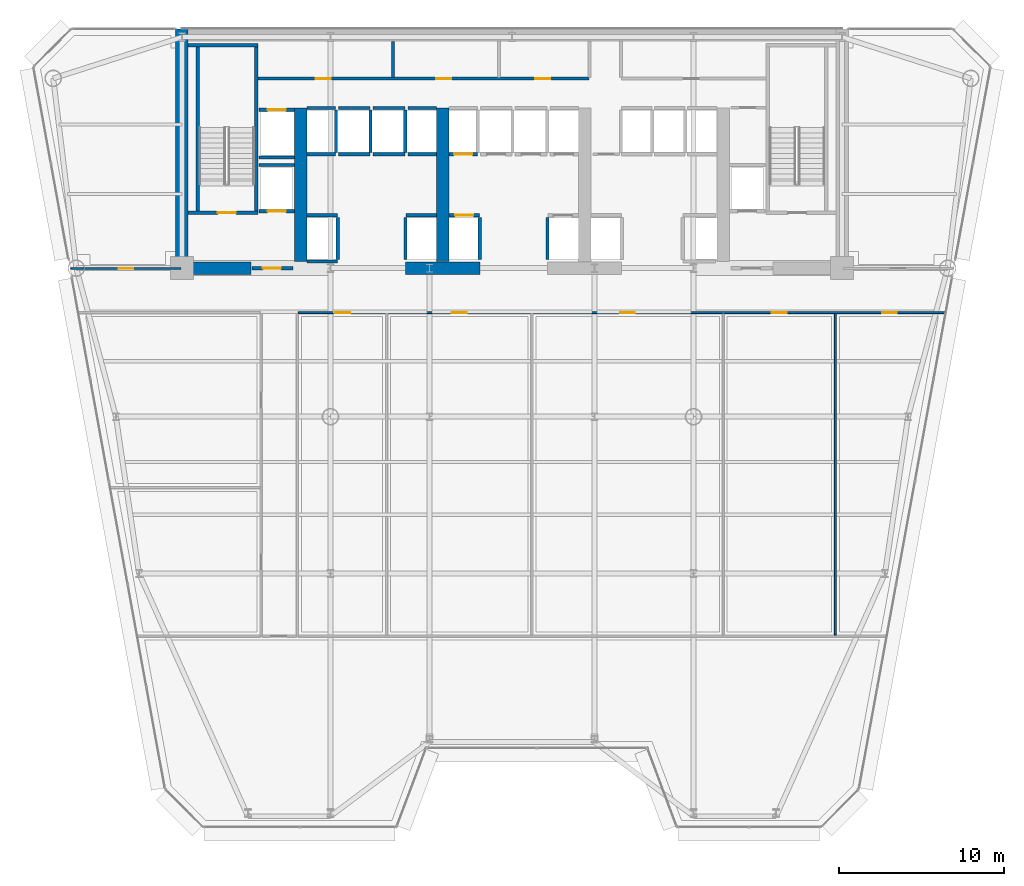
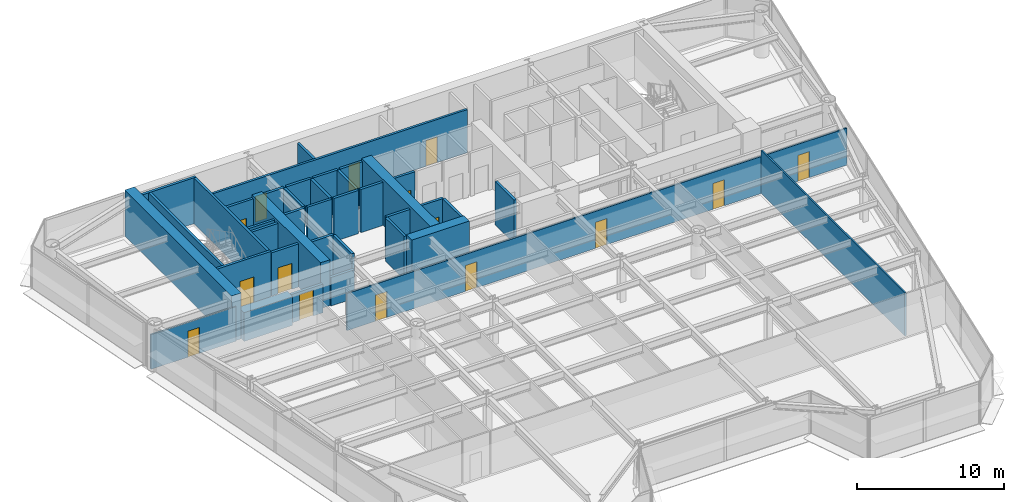
# One storey, part 9 of 15: 39 walls, 15 doors, 15 openings.
"""IFC4 building model written with IfcOpenShell, lengths in metres."""

from ifc_helpers import new_model, si_unit, direction, frame, frame_2d, origin, place, context, subcontext, project, spatial, rectangle, extrude, source, transform, mapped, material, layer, layer_set, type_object, element, fill, save


model = new_model("IFC4")

# Units and contexts
model_context = context("Model", 3, precision=1e-05, world=origin(), true_north=direction((0.0, 1.0)))
body_context = subcontext(model_context, "Body", "Model", "MODEL_VIEW")
ifc_project = project(units=[si_unit("LENGTHUNIT", "METRE"), si_unit("AREAUNIT", "SQUARE_METRE"), si_unit("VOLUMEUNIT", "CUBIC_METRE"), si_unit("PLANEANGLEUNIT", "RADIAN"), si_unit("MASSUNIT", "GRAM", prefix="KILO")], contexts=[model_context])

# Site, building, storey
site_placement = place(None, origin())
site = spatial("IfcSite", under=ifc_project, at=site_placement, CompositionType="ELEMENT")
building_placement = place(site_placement, origin())
building = spatial("IfcBuilding", under=site, at=building_placement, Name="Vaeldorn Concourse Tower", CompositionType="ELEMENT")
storey_placement = place(building_placement, frame((0.0, 0.0, 103.39990234375)))
storey = spatial("IfcBuildingStorey", under=building, at=storey_placement, Name="L26", CompositionType="ELEMENT", Elevation=103.39990234375)

# Walls
ifc_material_1 = material(Name="Concrete C60/75", Category="concrete")
ifc_layer_1 = layer(ifc_material_1, 0.75)
ifc_layer_set_1 = layer_set([ifc_layer_1], Name="Concrete C60/75")
wall_type_1 = type_object("IfcWallType", Name="WL-CORE-750", PredefinedType="SHEAR", material=ifc_layer_set_1)
wall_1_placement = place(storey_placement, frame((14.0, 36.5, 0.0), z_axis=(0.0, 0.0, 1.0), x_axis=(0.0, 1.0, 0.0)))
element("IfcWall", 1, at=wall_1_placement, inside=storey, type_object=wall_type_1, Name="Rear Core Shear Wall L26 W1", PredefinedType="SHEAR", context=body_context, shape_type="SweptSolid", body=[
    extrude(rectangle(XDim=14.5, YDim=0.75, at=frame_2d((7.25, 0.0))), origin(), (0.0, 0.0, 1.0), 3.800048828125),
])
wall_2_placement = place(storey_placement, frame((14.39501953125, 36.5, 0.0), z_axis=(0.0, 0.0, 1.0), x_axis=(1.0, 0.0, 0.0)))
element("IfcWall", 2, at=wall_2_placement, inside=storey, type_object=wall_type_1, Name="Rear Core Shear Wall L26 S1", PredefinedType="SHEAR", context=body_context, shape_type="SweptSolid", body=[
    extrude(rectangle(XDim=3.804931640625, YDim=0.75, at=frame_2d((1.90234375, 0.0))), origin(), (0.0, 0.0, 1.0), 2.380126953125),
])
wall_3_placement = place(storey_placement, frame((27.550048828125, 36.5, 0.0), z_axis=(0.0, 0.0, 1.0), x_axis=(1.0, 0.0, 0.0)))
element("IfcWall", 3, at=wall_3_placement, inside=storey, type_object=wall_type_1, Name="Rear Core Shear Wall L26 S2", PredefinedType="SHEAR", context=body_context, shape_type="SweptSolid", body=[
    extrude(rectangle(XDim=4.5, YDim=0.75, at=frame_2d((2.25, 0.0))), origin(), (0.0, 0.0, 1.0), 3.800048828125),
])
for number, where, z_axis, x_axis, name in (
    (4, (21.199951171875, 36.89501953125, 0.0), (0.0, 0.0, 1.0), (0.0, 1.0, 0.0), "Rear Core Shear Wall L26 M1"),
    (5, (29.800048828125, 36.89501953125, 0.0), (0.0, 0.0, 1.0), (0.0, 1.0, 0.0), "Rear Core Shear Wall L26 M2"),
):
    element("IfcWall", number, at=place(storey_placement, frame(where, z_axis=z_axis, x_axis=x_axis)), inside=storey, type_object=wall_type_1, Name=name, PredefinedType="SHEAR", context=body_context, shape_type="SweptSolid", body=[
        extrude(rectangle(XDim=9.304931640625, YDim=0.75, at=frame_2d((4.65234375, 0.0))), origin(), (0.0, 0.0, 1.0), 3.800048828125),
    ])

# Wall, openings, doors
ifc_material_2 = material(Name="Gypsum Board Partition", Category="gypsum")
ifc_layer_2 = layer(ifc_material_2, 0.1201171875)
ifc_layer_set_2 = layer_set([ifc_layer_2], Name="Gypsum Board Partition")
wall_type_2 = type_object("IfcWallType", Name="WL-PART-120", PredefinedType="PARTITIONING", material=ifc_layer_set_2)
wall_4_placement = place(storey_placement, frame((21.06005859375, 33.800048828125, 0.0), z_axis=(0.0, 0.0, 1.0), x_axis=(1.0, 0.0, 0.0)))
wall_4 = element("IfcWall", 6, at=wall_4_placement, inside=storey, type_object=wall_type_2, Name="Interior Wall PW-L26-C2SE", PredefinedType="PARTITIONING", context=body_context, shape_type="SweptSolid", body=[
    extrude(rectangle(XDim=39.18310546875, YDim=0.1201171875, at=frame_2d((19.591552734375, 0.0))), origin(), (0.0, 0.0, 1.0), 3.070068359375),
])
opening_1_placement = place(wall_4_placement, frame((2.239990234375, 0.0, 0.0)))
opening_1 = element("IfcOpeningElement", 7, at=opening_1_placement, cuts=wall_4, Name="Opening D-03", PredefinedType="OPENING", context=body_context, shape_type="SweptSolid", body=[
    extrude(rectangle(XDim=0.89990234375, YDim=2.14990234375, at=frame_2d((0.449951171875, 1.074951171875))), frame((0.0, 0.070068359375, 0.0), z_axis=(0.0, -1.0, 0.0), x_axis=(1.0, 0.0, 0.0)), (0.0, 0.0, 1.0), 0.14013671875),
])
opening_2_placement = place(wall_4_placement, frame((9.2900390625, 0.0, 0.0)))
opening_2 = element("IfcOpeningElement", 8, at=opening_2_placement, cuts=wall_4, Name="Opening D-03", PredefinedType="OPENING", context=body_context, shape_type="SweptSolid", body=[
    extrude(rectangle(XDim=0.89990234375, YDim=2.14990234375, at=frame_2d((0.449951171875, 1.074951171875))), frame((0.0, 0.070068359375, 0.0), z_axis=(0.0, -1.0, 0.0), x_axis=(1.0, 0.0, 0.0)), (0.0, 0.0, 1.0), 0.14013671875),
])
opening_3_placement = place(wall_4_placement, frame((19.489990234375, 0.0, 0.0)))
opening_3 = element("IfcOpeningElement", 9, at=opening_3_placement, cuts=wall_4, Name="Opening D-03", PredefinedType="OPENING", context=body_context, shape_type="SweptSolid", body=[
    extrude(rectangle(XDim=0.89990234375, YDim=2.14990234375, at=frame_2d((0.449951171875, 1.074951171875))), frame((0.0, 0.070068359375, 0.0), z_axis=(0.0, -1.0, 0.0), x_axis=(1.0, 0.0, 0.0)), (0.0, 0.0, 1.0), 0.14013671875),
])
opening_4_placement = place(wall_4_placement, frame((28.68994140625, 0.0, 0.0)))
opening_4 = element("IfcOpeningElement", 10, at=opening_4_placement, cuts=wall_4, Name="Opening D-03", PredefinedType="OPENING", context=body_context, shape_type="SweptSolid", body=[
    extrude(rectangle(XDim=0.89990234375, YDim=2.14990234375, at=frame_2d((0.449951171875, 1.074951171875))), frame((0.0, 0.070068359375, 0.0), z_axis=(0.0, -1.0, 0.0), x_axis=(1.0, 0.0, 0.0)), (0.0, 0.0, 1.0), 0.14013671875),
])
opening_5_placement = place(wall_4_placement, frame((35.362060546875, 0.0, 0.0)))
opening_5 = element("IfcOpeningElement", 11, at=opening_5_placement, cuts=wall_4, Name="Opening D-03", PredefinedType="OPENING", context=body_context, shape_type="SweptSolid", body=[
    extrude(rectangle(XDim=0.89990234375, YDim=2.14990234375, at=frame_2d((0.449951171875, 1.074951171875))), frame((0.0, 0.070068359375, 0.0), z_axis=(0.0, -1.0, 0.0), x_axis=(1.0, 0.0, 0.0)), (0.0, 0.0, 1.0), 0.14013671875),
])
ifc_material_3 = material(Name="Acoustic Bronze-Framed Glass Door", Category="glass")
door_type_1 = type_object("IfcDoorType", Name="DR-INT-900", OperationType="NOTDEFINED", PredefinedType="DOOR", material=ifc_material_3)
shared_shape_1 = source(origin(), body_context, "Body", "SweptSolid", [
    extrude(rectangle(XDim=0.89990234375, YDim=2.14990234375, at=frame_2d((0.449951171875, 1.074951171875))), frame((0.0, 0.02490234375, 0.0), z_axis=(0.0, -1.0, 0.0), x_axis=(1.0, 0.0, 0.0)), (0.0, 0.0, 1.0), 0.050048828125),
])
door_1_placement = place(opening_1_placement, origin())
door_1 = element("IfcDoor", 12, at=door_1_placement, inside=storey, type_object=door_type_1, Name="Interior Door DR-L26-Z2E1", OperationType="SINGLE_SWING_RIGHT", OverallHeight=2.14990234375, OverallWidth=0.89990234375, PredefinedType="DOOR", context=body_context, shape_type="MappedRepresentation", body=[
    mapped(shared_shape_1, transform((0.0, 0.0, 0.0), scale=1.0)),
])
fill(opening_1, door_1)
door_2_placement = place(opening_2_placement, origin())
door_2 = element("IfcDoor", 13, at=door_2_placement, inside=storey, type_object=door_type_1, Name="Interior Door DR-L26-Z2E2", OperationType="SINGLE_SWING_LEFT", OverallHeight=2.14990234375, OverallWidth=0.89990234375, PredefinedType="DOOR", context=body_context, shape_type="MappedRepresentation", body=[
    mapped(shared_shape_1, transform((0.0, 0.0, 0.0), scale=1.0)),
])
fill(opening_2, door_2)
door_3_placement = place(opening_3_placement, origin())
door_3 = element("IfcDoor", 14, at=door_3_placement, inside=storey, type_object=door_type_1, Name="Interior Door DR-L26-Z2E3", OperationType="SINGLE_SWING_RIGHT", OverallHeight=2.14990234375, OverallWidth=0.89990234375, PredefinedType="DOOR", context=body_context, shape_type="MappedRepresentation", body=[
    mapped(shared_shape_1, transform((0.0, 0.0, 0.0), scale=1.0)),
])
fill(opening_3, door_3)
door_4_placement = place(opening_4_placement, origin())
door_4 = element("IfcDoor", 15, at=door_4_placement, inside=storey, type_object=door_type_1, Name="Interior Door DR-L26-Z2E4", OperationType="SINGLE_SWING_LEFT", OverallHeight=2.14990234375, OverallWidth=0.89990234375, PredefinedType="DOOR", context=body_context, shape_type="MappedRepresentation", body=[
    mapped(shared_shape_1, transform((0.0, 0.0, 0.0), scale=1.0)),
])
fill(opening_4, door_4)
door_5_placement = place(opening_5_placement, origin())
door_5 = element("IfcDoor", 16, at=door_5_placement, inside=storey, type_object=door_type_1, Name="Interior Door DR-L26-Z2E5", OperationType="SINGLE_SWING_RIGHT", OverallHeight=2.14990234375, OverallWidth=0.89990234375, PredefinedType="DOOR", context=body_context, shape_type="MappedRepresentation", body=[
    mapped(shared_shape_1, transform((0.0, 0.0, 0.0), scale=1.0)),
])
fill(opening_5, door_5)

# Wall, opening, door
wall_5_placement = place(storey_placement, frame((7.273681640625, 36.47998046875, 0.0), z_axis=(0.0, 0.0, 1.0), x_axis=(1.0, 0.0, 0.0)))
wall_5 = element("IfcWall", 17, at=wall_5_placement, inside=storey, type_object=wall_type_2, Name="Interior Wall PW-L26-NWS", PredefinedType="PARTITIONING", context=body_context, shape_type="SweptSolid", body=[
    extrude(rectangle(XDim=6.666259765625, YDim=0.1201171875, at=frame_2d((3.3330078125, 0.0))), origin(), (0.0, 0.0, 1.0), 2.8701171875),
])
opening_6_placement = place(wall_5_placement, frame((2.883056640625, 0.0, 0.0)))
opening_6 = element("IfcOpeningElement", 18, at=opening_6_placement, cuts=wall_5, Name="Opening D-03", PredefinedType="OPENING", context=body_context, shape_type="SweptSolid", body=[
    extrude(rectangle(XDim=0.89990234375, YDim=2.14990234375, at=frame_2d((0.449951171875, 1.074951171875))), frame((0.0, 0.070068359375, 0.0), z_axis=(0.0, -1.0, 0.0), x_axis=(1.0, 0.0, 0.0)), (0.0, 0.0, 1.0), 0.14013671875),
])
door_6_placement = place(opening_6_placement, origin())
door_6 = element("IfcDoor", 19, at=door_6_placement, inside=storey, type_object=door_type_1, Name="Interior Door DR-L26-NWC", OperationType="SINGLE_SWING_LEFT", OverallHeight=2.14990234375, OverallWidth=0.89990234375, PredefinedType="DOOR", context=body_context, shape_type="MappedRepresentation", body=[
    mapped(shared_shape_1, transform((0.0, 0.0, 0.0), scale=1.0)),
])
fill(opening_6, door_6)

# Wall
wall_6_placement = place(storey_placement, frame((53.60009765625, 14.260009765625, 0.0), z_axis=(0.0, 0.0, 1.0), x_axis=(0.0, 1.0, 0.0)))
element("IfcWall", 20, at=wall_6_placement, inside=storey, type_object=wall_type_2, Name="Interior Wall PW-L26-Z2EX4", PredefinedType="PARTITIONING", context=body_context, shape_type="SweptSolid", body=[
    extrude(rectangle(XDim=19.47998046875, YDim=0.1201171875, at=frame_2d((9.739990234375, 0.0))), origin(), (0.0, 0.0, 1.0), 3.580078125),
])

# Wall, openings, doors
ifc_layer_3 = layer(ifc_material_2, 0.179931640625)
ifc_layer_set_3 = layer_set([ifc_layer_3], Name="Gypsum Board Partition")
wall_type_3 = type_object("IfcWallType", Name="WL-PLUMB-180", PredefinedType="PLUMBINGWALL", material=ifc_layer_set_3)
wall_7_placement = place(storey_placement, frame((18.6201171875, 47.97998046875, 0.0), z_axis=(0.0, 0.0, 1.0), x_axis=(1.0, 0.0, 0.0)))
wall_7 = element("IfcWall", 21, at=wall_7_placement, inside=storey, type_object=wall_type_3, Name="Interior Wall CW-L26-NS1W", PredefinedType="PLUMBINGWALL", context=body_context, shape_type="SweptSolid", body=[
    extrude(rectangle(XDim=20.059814453125, YDim=0.179931640625, at=frame_2d((10.02978515625, 0.0))), origin(), (0.0, 0.0, 1.0), 3.580078125),
])
opening_7_placement = place(wall_7_placement, frame((3.5, 0.0, 0.0)))
opening_7 = element("IfcOpeningElement", 22, at=opening_7_placement, cuts=wall_7, Name="Opening D-03", PredefinedType="OPENING", context=body_context, shape_type="SweptSolid", body=[
    extrude(rectangle(XDim=0.89990234375, YDim=2.14990234375, at=frame_2d((0.449951171875, 1.074951171875))), frame((0.0, 0.10009765625, 0.0), z_axis=(0.0, -1.0, 0.0), x_axis=(1.0, 0.0, 0.0)), (0.0, 0.0, 1.0), 0.199951171875),
])
opening_8_placement = place(wall_7_placement, frame((10.800048828125, 0.0, 0.0)))
opening_8 = element("IfcOpeningElement", 23, at=opening_8_placement, cuts=wall_7, Name="Opening D-03", PredefinedType="OPENING", context=body_context, shape_type="SweptSolid", body=[
    extrude(rectangle(XDim=0.89990234375, YDim=2.14990234375, at=frame_2d((0.449951171875, 1.074951171875))), frame((0.0, 0.10009765625, 0.0), z_axis=(0.0, -1.0, 0.0), x_axis=(1.0, 0.0, 0.0)), (0.0, 0.0, 1.0), 0.199951171875),
])
opening_9_placement = place(wall_7_placement, frame((16.800048828125, 0.0, 0.0)))
opening_9 = element("IfcOpeningElement", 24, at=opening_9_placement, cuts=wall_7, Name="Opening D-03", PredefinedType="OPENING", context=body_context, shape_type="SweptSolid", body=[
    extrude(rectangle(XDim=0.89990234375, YDim=2.14990234375, at=frame_2d((0.449951171875, 1.074951171875))), frame((0.0, 0.10009765625, 0.0), z_axis=(0.0, -1.0, 0.0), x_axis=(1.0, 0.0, 0.0)), (0.0, 0.0, 1.0), 0.199951171875),
])
door_7_placement = place(opening_7_placement, origin())
door_7 = element("IfcDoor", 25, at=door_7_placement, inside=storey, type_object=door_type_1, Name="Interior Door DR-L26-CS1", OperationType="SINGLE_SWING_LEFT", OverallHeight=2.14990234375, OverallWidth=0.89990234375, PredefinedType="DOOR", context=body_context, shape_type="MappedRepresentation", body=[
    mapped(shared_shape_1, transform((0.0, 0.0, 0.0), scale=1.0)),
])
fill(opening_7, door_7)
door_8_placement = place(opening_8_placement, origin())
door_8 = element("IfcDoor", 26, at=door_8_placement, inside=storey, type_object=door_type_1, Name="Interior Door DR-L26-CS2", OperationType="SINGLE_SWING_RIGHT", OverallHeight=2.14990234375, OverallWidth=0.89990234375, PredefinedType="DOOR", context=body_context, shape_type="MappedRepresentation", body=[
    mapped(shared_shape_1, transform((0.0, 0.0, 0.0), scale=1.0)),
])
fill(opening_8, door_8)
door_9_placement = place(opening_9_placement, origin())
door_9 = element("IfcDoor", 27, at=door_9_placement, inside=storey, type_object=door_type_1, Name="Interior Door DR-L26-CS3", OperationType="SINGLE_SWING_LEFT", OverallHeight=2.14990234375, OverallWidth=0.89990234375, PredefinedType="DOOR", context=body_context, shape_type="MappedRepresentation", body=[
    mapped(shared_shape_1, transform((0.0, 0.0, 0.0), scale=1.0)),
])
fill(opening_9, door_9)

# Wall
wall_8_placement = place(storey_placement, frame((26.800048828125, 48.06005859375, 0.0), z_axis=(0.0, 0.0, 1.0), x_axis=(0.0, 1.0, 0.0)))
element("IfcWall", 28, at=wall_8_placement, inside=storey, type_object=wall_type_3, Name="Interior Wall CW-L26-NDIV1", PredefinedType="PLUMBINGWALL", context=body_context, shape_type="SweptSolid", body=[
    extrude(rectangle(XDim=2.169921875, YDim=0.179931640625, at=frame_2d((1.0849609375, 0.0))), origin(), (0.0, 0.0, 1.0), 3.580078125),
])

# Wall, opening, door
ifc_material_4 = material(Name="Concrete C50/60", Category="concrete")
ifc_layer_4 = layer(ifc_material_4, 0.199951171875)
ifc_layer_set_4 = layer_set([ifc_layer_4], Name="Concrete C50/60")
wall_type_4 = type_object("IfcWallType", Name="WL-SHAFT-200", PredefinedType="SOLIDWALL", material=ifc_layer_set_4)
wall_9_placement = place(storey_placement, frame((14.375, 39.85009765625, 0.0), z_axis=(0.0, 0.0, 1.0), x_axis=(1.0, 0.0, 0.0)))
wall_9 = element("IfcWall", 29, at=wall_9_placement, inside=storey, type_object=wall_type_4, Name="Stair Shaft Wall CW-L26-ST-1-S", PredefinedType="SOLIDWALL", context=body_context, shape_type="SweptSolid", body=[
    extrude(rectangle(XDim=4.22509765625, YDim=0.199951171875, at=frame_2d((2.112548828125, 0.0))), origin(), (0.0, 0.0, 1.0), 3.800048828125),
])
opening_10_placement = place(wall_9_placement, frame((1.800048828125, 0.0, 0.0)))
opening_10 = element("IfcOpeningElement", 30, at=opening_10_placement, cuts=wall_9, Name="Opening D-01", PredefinedType="OPENING", context=body_context, shape_type="SweptSolid", body=[
    extrude(rectangle(XDim=1.10009765625, YDim=2.14990234375, at=frame_2d((0.550048828125, 1.074951171875))), frame((0.0, 0.10986328125, 0.0), z_axis=(0.0, -1.0, 0.0), x_axis=(1.0, 0.0, 0.0)), (0.0, 0.0, 1.0), 0.219970703125),
])
ifc_material_5 = material(Name="Fire-Rated Timber and Steel Leaf", Category="steel")
door_type_2 = type_object("IfcDoorType", Name="DR-FD60-1100", OperationType="NOTDEFINED", PredefinedType="DOOR", material=ifc_material_5)
shared_shape_2 = source(origin(), body_context, "Body", "SweptSolid", [
    extrude(rectangle(XDim=1.10009765625, YDim=2.14990234375, at=frame_2d((0.550048828125, 1.074951171875))), frame((0.0, 0.02490234375, 0.0), z_axis=(0.0, -1.0, 0.0), x_axis=(1.0, 0.0, 0.0)), (0.0, 0.0, 1.0), 0.050048828125),
])
door_10_placement = place(opening_10_placement, origin())
door_10 = element("IfcDoor", 31, at=door_10_placement, inside=storey, type_object=door_type_2, Name="Interior Door DR-L26-ST-1", OperationType="SINGLE_SWING_LEFT", OverallHeight=2.14990234375, OverallWidth=1.10009765625, PredefinedType="DOOR", context=body_context, shape_type="MappedRepresentation", body=[
    mapped(shared_shape_2, transform((0.0, 0.0, 0.0), scale=1.0)),
])
fill(opening_10, door_10)

# Walls
wall_10_placement = place(storey_placement, frame((14.375, 50.0, 0.0), z_axis=(0.0, 0.0, 1.0), x_axis=(1.0, 0.0, 0.0)))
element("IfcWall", 32, at=wall_10_placement, inside=storey, type_object=wall_type_4, Name="Stair Shaft Wall CW-L26-ST-1-N", PredefinedType="SOLIDWALL", context=body_context, shape_type="SweptSolid", body=[
    extrude(rectangle(XDim=4.22509765625, YDim=0.199951171875, at=frame_2d((2.112548828125, 0.0))), origin(), (0.0, 0.0, 1.0), 3.800048828125),
])
for number, where, z_axis, x_axis, name in (
    (33, (14.949951171875, 39.9599609375, 0.0), (0.0, 0.0, 1.0), (0.0, 1.0, 0.0), "Stair Shaft Wall CW-L26-ST-1-W"),
    (34, (18.5, 39.9599609375, 0.0), (0.0, 0.0, 1.0), (0.0, 1.0, 0.0), "Stair Shaft Wall CW-L26-ST-1-E"),
):
    element("IfcWall", number, at=place(storey_placement, frame(where, z_axis=z_axis, x_axis=x_axis)), inside=storey, type_object=wall_type_4, Name=name, PredefinedType="SOLIDWALL", context=body_context, shape_type="SweptSolid", body=[
        extrude(rectangle(XDim=9.929931640625, YDim=0.199951171875, at=frame_2d((4.96484375, 0.0))), origin(), (0.0, 0.0, 1.0), 3.800048828125),
    ])

# Wall, opening, door
wall_11_placement = place(storey_placement, frame((18.25, 36.5, 0.0), z_axis=(0.0, 0.0, 1.0), x_axis=(1.0, 0.0, 0.0)))
wall_11 = element("IfcWall", 35, at=wall_11_placement, inside=storey, type_object=wall_type_4, Name="Interior Wall CW-L26-FF1S", PredefinedType="SOLIDWALL", context=body_context, shape_type="SweptSolid", body=[
    extrude(rectangle(XDim=2.469970703125, YDim=0.199951171875, at=frame_2d((1.23486328125, 0.0))), origin(), (0.0, 0.0, 1.0), 2.3701171875),
])
opening_11_placement = place(wall_11_placement, frame((0.64990234375, 0.0, 0.0)))
opening_11 = element("IfcOpeningElement", 36, at=opening_11_placement, cuts=wall_11, Name="Opening D-01", PredefinedType="OPENING", context=body_context, shape_type="SweptSolid", body=[
    extrude(rectangle(XDim=1.10009765625, YDim=2.14990234375, at=frame_2d((0.550048828125, 1.074951171875))), frame((0.0, 0.10986328125, 0.0), z_axis=(0.0, -1.0, 0.0), x_axis=(1.0, 0.0, 0.0)), (0.0, 0.0, 1.0), 0.219970703125),
])
door_11_placement = place(opening_11_placement, origin())
door_11 = element("IfcDoor", 37, at=door_11_placement, inside=storey, type_object=door_type_2, Name="Interior Door DR-L26-FF1E", OperationType="SINGLE_SWING_RIGHT", OverallHeight=2.14990234375, OverallWidth=1.10009765625, PredefinedType="DOOR", context=body_context, shape_type="MappedRepresentation", body=[
    mapped(shared_shape_2, transform((0.0, 0.0, 0.0), scale=1.0)),
])
fill(opening_11, door_11)

# Walls
wall_12_placement = place(storey_placement, frame((21.5849609375, 39.699951171875, 0.0), z_axis=(0.0, 0.0, 1.0), x_axis=(1.0, 0.0, 0.0)))
element("IfcWall", 38, at=wall_12_placement, inside=storey, type_object=wall_type_4, Name="Interior Wall CW-L26-LF-LF-01", PredefinedType="SOLIDWALL", context=body_context, shape_type="SweptSolid", body=[
    extrude(rectangle(XDim=1.844970703125, YDim=0.199951171875, at=frame_2d((0.92236328125, 0.0))), origin(), (0.0, 0.0, 1.0), 3.580078125),
])
wall_13_placement = place(storey_placement, frame((21.5849609375, 36.89990234375, 0.0), z_axis=(0.0, 0.0, 1.0), x_axis=(1.0, 0.0, 0.0)))
element("IfcWall", 39, at=wall_13_placement, inside=storey, type_object=wall_type_4, Name="Interior Wall CW-L26-LFB-LF-01", PredefinedType="SOLIDWALL", context=body_context, shape_type="SweptSolid", body=[
    extrude(rectangle(XDim=1.844970703125, YDim=0.199951171875, at=frame_2d((0.92236328125, 0.0))), origin(), (0.0, 0.0, 1.0), 2.3701171875),
])
wall_14_placement = place(storey_placement, frame((23.449951171875, 37.02001953125, 0.0), z_axis=(0.0, 0.0, 1.0), x_axis=(0.0, 1.0, 0.0)))
element("IfcWall", 40, at=wall_14_placement, inside=storey, type_object=wall_type_4, Name="Interior Wall CW-L26-LFE-LF-01", PredefinedType="SOLIDWALL", context=body_context, shape_type="SweptSolid", body=[
    extrude(rectangle(XDim=2.56005859375, YDim=0.199951171875, at=frame_2d((1.280029296875, 0.0))), origin(), (0.0, 0.0, 1.0), 3.580078125),
])
wall_15_placement = place(storey_placement, frame((27.570068359375, 39.699951171875, 0.0), z_axis=(0.0, 0.0, 1.0), x_axis=(1.0, 0.0, 0.0)))
element("IfcWall", 41, at=wall_15_placement, inside=storey, type_object=wall_type_4, Name="Interior Wall CW-L26-LF-LF-02", PredefinedType="SOLIDWALL", context=body_context, shape_type="SweptSolid", body=[
    extrude(rectangle(XDim=1.844970703125, YDim=0.199951171875, at=frame_2d((0.92236328125, 0.0))), origin(), (0.0, 0.0, 1.0), 3.580078125),
])
wall_16_placement = place(storey_placement, frame((27.550048828125, 37.02001953125, 0.0), z_axis=(0.0, 0.0, 1.0), x_axis=(0.0, 1.0, 0.0)))
element("IfcWall", 42, at=wall_16_placement, inside=storey, type_object=wall_type_4, Name="Interior Wall CW-L26-LFW-LF-02", PredefinedType="SOLIDWALL", context=body_context, shape_type="SweptSolid", body=[
    extrude(rectangle(XDim=2.56005859375, YDim=0.199951171875, at=frame_2d((1.280029296875, 0.0))), origin(), (0.0, 0.0, 1.0), 3.580078125),
])
for number, where, z_axis, x_axis, name in (
    (43, (21.5849609375, 43.39990234375, 0.0), (0.0, 0.0, 1.0), (1.0, 0.0, 0.0), "Interior Wall CW-L26-LF-LF-03"),
    (44, (21.5849609375, 46.199951171875, 0.0), (0.0, 0.0, 1.0), (1.0, 0.0, 0.0), "Interior Wall CW-L26-LFB-LF-03"),
):
    element("IfcWall", number, at=place(storey_placement, frame(where, z_axis=z_axis, x_axis=x_axis)), inside=storey, type_object=wall_type_4, Name=name, PredefinedType="SOLIDWALL", context=body_context, shape_type="SweptSolid", body=[
        extrude(rectangle(XDim=1.72509765625, YDim=0.199951171875, at=frame_2d((0.862548828125, 0.0))), origin(), (0.0, 0.0, 1.0), 3.580078125),
    ])
wall_17_placement = place(storey_placement, frame((23.330078125, 43.52001953125, 0.0), z_axis=(0.0, 0.0, 1.0), x_axis=(0.0, 1.0, 0.0)))
element("IfcWall", 45, at=wall_17_placement, inside=storey, type_object=wall_type_4, Name="Interior Wall CW-L26-LFE-LF-03", PredefinedType="SOLIDWALL", context=body_context, shape_type="SweptSolid", body=[
    extrude(rectangle(XDim=2.56005859375, YDim=0.199951171875, at=frame_2d((1.280029296875, 0.0))), origin(), (0.0, 0.0, 1.0), 3.580078125),
])
for number, where, z_axis, x_axis, name in (
    (46, (23.489990234375, 43.39990234375, 0.0), (0.0, 0.0, 1.0), (1.0, 0.0, 0.0), "Interior Wall CW-L26-LF-LF-04"),
    (47, (23.489990234375, 46.199951171875, 0.0), (0.0, 0.0, 1.0), (1.0, 0.0, 0.0), "Interior Wall CW-L26-LFB-LF-04"),
):
    element("IfcWall", number, at=place(storey_placement, frame(where, z_axis=z_axis, x_axis=x_axis)), inside=storey, type_object=wall_type_4, Name=name, PredefinedType="SOLIDWALL", context=body_context, shape_type="SweptSolid", body=[
        extrude(rectangle(XDim=1.919921875, YDim=0.199951171875, at=frame_2d((0.9599609375, 0.0))), origin(), (0.0, 0.0, 1.0), 3.580078125),
    ])
wall_18_placement = place(storey_placement, frame((25.429931640625, 43.52001953125, 0.0), z_axis=(0.0, 0.0, 1.0), x_axis=(0.0, 1.0, 0.0)))
element("IfcWall", 48, at=wall_18_placement, inside=storey, type_object=wall_type_4, Name="Interior Wall CW-L26-LFE-LF-04", PredefinedType="SOLIDWALL", context=body_context, shape_type="SweptSolid", body=[
    extrude(rectangle(XDim=2.56005859375, YDim=0.199951171875, at=frame_2d((1.280029296875, 0.0))), origin(), (0.0, 0.0, 1.0), 3.580078125),
])
for number, where, z_axis, x_axis, name in (
    (49, (25.590087890625, 43.39990234375, 0.0), (0.0, 0.0, 1.0), (1.0, 0.0, 0.0), "Interior Wall CW-L26-LF-LF-05"),
    (50, (25.590087890625, 46.199951171875, 0.0), (0.0, 0.0, 1.0), (1.0, 0.0, 0.0), "Interior Wall CW-L26-LFB-LF-05"),
):
    element("IfcWall", number, at=place(storey_placement, frame(where, z_axis=z_axis, x_axis=x_axis)), inside=storey, type_object=wall_type_4, Name=name, PredefinedType="SOLIDWALL", context=body_context, shape_type="SweptSolid", body=[
        extrude(rectangle(XDim=1.919921875, YDim=0.199951171875, at=frame_2d((0.9599609375, 0.0))), origin(), (0.0, 0.0, 1.0), 3.580078125),
    ])
wall_19_placement = place(storey_placement, frame((27.530029296875, 43.52001953125, 0.0), z_axis=(0.0, 0.0, 1.0), x_axis=(0.0, 1.0, 0.0)))
element("IfcWall", 51, at=wall_19_placement, inside=storey, type_object=wall_type_4, Name="Interior Wall CW-L26-LFE-LF-05", PredefinedType="SOLIDWALL", context=body_context, shape_type="SweptSolid", body=[
    extrude(rectangle(XDim=2.56005859375, YDim=0.199951171875, at=frame_2d((1.280029296875, 0.0))), origin(), (0.0, 0.0, 1.0), 3.580078125),
])
for number, where, z_axis, x_axis, name in (
    (52, (27.68994140625, 43.39990234375, 0.0), (0.0, 0.0, 1.0), (1.0, 0.0, 0.0), "Interior Wall CW-L26-LF-LF-06"),
    (53, (27.68994140625, 46.199951171875, 0.0), (0.0, 0.0, 1.0), (1.0, 0.0, 0.0), "Interior Wall CW-L26-LFB-LF-06"),
):
    element("IfcWall", number, at=place(storey_placement, frame(where, z_axis=z_axis, x_axis=x_axis)), inside=storey, type_object=wall_type_4, Name=name, PredefinedType="SOLIDWALL", context=body_context, shape_type="SweptSolid", body=[
        extrude(rectangle(XDim=1.72509765625, YDim=0.199951171875, at=frame_2d((0.862548828125, 0.0))), origin(), (0.0, 0.0, 1.0), 3.580078125),
    ])

# Wall, opening, door
wall_20_placement = place(storey_placement, frame((30.18505859375, 39.699951171875, 0.0), z_axis=(0.0, 0.0, 1.0), x_axis=(1.0, 0.0, 0.0)))
wall_20 = element("IfcWall", 54, at=wall_20_placement, inside=storey, type_object=wall_type_4, Name="Interior Wall CW-L26-LF-LF-07", PredefinedType="SOLIDWALL", context=body_context, shape_type="SweptSolid", body=[
    extrude(rectangle(XDim=1.844970703125, YDim=0.199951171875, at=frame_2d((0.92236328125, 0.0))), origin(), (0.0, 0.0, 1.0), 3.580078125),
])
opening_12_placement = place(wall_20_placement, frame((0.373046875, 0.0, 0.0)))
opening_12 = element("IfcOpeningElement", 55, at=opening_12_placement, cuts=wall_20, Name="Opening LD-1", PredefinedType="OPENING", context=body_context, shape_type="SweptSolid", body=[
    extrude(rectangle(XDim=1.10009765625, YDim=2.14990234375, at=frame_2d((0.550048828125, 1.074951171875))), frame((0.0, 0.10986328125, 0.0), z_axis=(0.0, -1.0, 0.0), x_axis=(1.0, 0.0, 0.0)), (0.0, 0.0, 1.0), 0.219970703125),
])
ifc_material_6 = material(Name="Anodised Bronze Aluminium", Category="aluminium")
door_type_3 = type_object("IfcDoorType", Name="DR-LIFT-SLIDE-1100", OperationType="DOUBLE_DOOR_SLIDING", PredefinedType="DOOR", material=ifc_material_6)
door_12_placement = place(opening_12_placement, origin())
door_12 = element("IfcDoor", 56, at=door_12_placement, inside=storey, type_object=door_type_3, Name="Lift Landing Door LD-L26-LF-07", OperationType="DOUBLE_DOOR_SLIDING", OverallHeight=2.14990234375, OverallWidth=1.10009765625, PredefinedType="DOOR", context=body_context, shape_type="MappedRepresentation", body=[
    mapped(shared_shape_2, transform((0.0, 0.0, 0.0), scale=1.0)),
])
fill(opening_12, door_12)

# Walls
for number, where, z_axis, x_axis, name in (
    (57, (32.050048828125, 37.02001953125, 0.0), (0.0, 0.0, 1.0), (0.0, 1.0, 0.0), "Interior Wall CW-L26-LFE-LF-07"),
    (58, (36.14990234375, 37.02001953125, 0.0), (0.0, 0.0, 1.0), (0.0, 1.0, 0.0), "Interior Wall CW-L26-LFW-LF-08"),
):
    element("IfcWall", number, at=place(storey_placement, frame(where, z_axis=z_axis, x_axis=x_axis)), inside=storey, type_object=wall_type_4, Name=name, PredefinedType="SOLIDWALL", context=body_context, shape_type="SweptSolid", body=[
        extrude(rectangle(XDim=2.56005859375, YDim=0.199951171875, at=frame_2d((1.280029296875, 0.0))), origin(), (0.0, 0.0, 1.0), 3.580078125),
    ])

# Wall, opening, door
wall_21_placement = place(storey_placement, frame((30.18505859375, 43.39990234375, 0.0), z_axis=(0.0, 0.0, 1.0), x_axis=(1.0, 0.0, 0.0)))
wall_21 = element("IfcWall", 59, at=wall_21_placement, inside=storey, type_object=wall_type_4, Name="Interior Wall CW-L26-LF-LF-09", PredefinedType="SOLIDWALL", context=body_context, shape_type="SweptSolid", body=[
    extrude(rectangle(XDim=1.724853515625, YDim=0.199951171875, at=frame_2d((0.8623046875, 0.0))), origin(), (0.0, 0.0, 1.0), 3.580078125),
])
opening_13_placement = place(wall_21_placement, frame((0.31298828125, 0.0, 0.0)))
opening_13 = element("IfcOpeningElement", 60, at=opening_13_placement, cuts=wall_21, Name="Opening LD-1", PredefinedType="OPENING", context=body_context, shape_type="SweptSolid", body=[
    extrude(rectangle(XDim=1.10009765625, YDim=2.14990234375, at=frame_2d((0.550048828125, 1.074951171875))), frame((0.0, 0.10986328125, 0.0), z_axis=(0.0, -1.0, 0.0), x_axis=(1.0, 0.0, 0.0)), (0.0, 0.0, 1.0), 0.219970703125),
])
door_13_placement = place(opening_13_placement, origin())
door_13 = element("IfcDoor", 61, at=door_13_placement, inside=storey, type_object=door_type_3, Name="Lift Landing Door LD-L26-LF-09", OperationType="DOUBLE_DOOR_SLIDING", OverallHeight=2.14990234375, OverallWidth=1.10009765625, PredefinedType="DOOR", context=body_context, shape_type="MappedRepresentation", body=[
    mapped(shared_shape_2, transform((0.0, 0.0, 0.0), scale=1.0)),
])
fill(opening_13, door_13)

wall_22_placement = place(storey_placement, frame((18.669921875, 46.10009765625, 0.0), z_axis=(0.0, 0.0, 1.0), x_axis=(1.0, 0.0, 0.0)))
wall_22 = element("IfcWall", 62, at=wall_22_placement, inside=storey, type_object=wall_type_4, Name="Interior Wall CW-L26-LF-LF-SV1", PredefinedType="SOLIDWALL", context=body_context, shape_type="SweptSolid", body=[
    extrude(rectangle(XDim=2.14501953125, YDim=0.199951171875, at=frame_2d((1.072509765625, 0.0))), origin(), (0.0, 0.0, 1.0), 3.580078125),
])
opening_14_placement = place(wall_22_placement, frame((0.52197265625, 0.0, 0.0)))
opening_14 = element("IfcOpeningElement", 63, at=opening_14_placement, cuts=wall_22, Name="Opening LD-1", PredefinedType="OPENING", context=body_context, shape_type="SweptSolid", body=[
    extrude(rectangle(XDim=1.10009765625, YDim=2.14990234375, at=frame_2d((0.550048828125, 1.074951171875))), frame((0.0, 0.10986328125, 0.0), z_axis=(0.0, -1.0, 0.0), x_axis=(1.0, 0.0, 0.0)), (0.0, 0.0, 1.0), 0.219970703125),
])
door_14_placement = place(opening_14_placement, origin())
door_14 = element("IfcDoor", 64, at=door_14_placement, inside=storey, type_object=door_type_3, Name="Lift Landing Door LD-L26-LF-SV1", OperationType="DOUBLE_DOOR_SLIDING", OverallHeight=2.14990234375, OverallWidth=1.10009765625, PredefinedType="DOOR", context=body_context, shape_type="MappedRepresentation", body=[
    mapped(shared_shape_2, transform((0.0, 0.0, 0.0), scale=1.0)),
])
fill(opening_14, door_14)

# Wall
wall_23_placement = place(storey_placement, frame((18.669921875, 43.199951171875, 0.0), z_axis=(0.0, 0.0, 1.0), x_axis=(1.0, 0.0, 0.0)))
element("IfcWall", 65, at=wall_23_placement, inside=storey, type_object=wall_type_4, Name="Interior Wall CW-L26-LFB-LF-SV1", PredefinedType="SOLIDWALL", context=body_context, shape_type="SweptSolid", body=[
    extrude(rectangle(XDim=2.14501953125, YDim=0.199951171875, at=frame_2d((1.072509765625, 0.0))), origin(), (0.0, 0.0, 1.0), 3.580078125),
])

# Wall, opening, door
wall_24_placement = place(storey_placement, frame((18.669921875, 39.949951171875, 0.0), z_axis=(0.0, 0.0, 1.0), x_axis=(1.0, 0.0, 0.0)))
wall_24 = element("IfcWall", 66, at=wall_24_placement, inside=storey, type_object=wall_type_4, Name="Interior Wall CW-L26-LF-LF-FF1", PredefinedType="SOLIDWALL", context=body_context, shape_type="SweptSolid", body=[
    extrude(rectangle(XDim=2.14501953125, YDim=0.199951171875, at=frame_2d((1.072509765625, 0.0))), origin(), (0.0, 0.0, 1.0), 3.580078125),
])
opening_15_placement = place(wall_24_placement, frame((0.52197265625, 0.0, 0.0)))
opening_15 = element("IfcOpeningElement", 67, at=opening_15_placement, cuts=wall_24, Name="Opening LD-1", PredefinedType="OPENING", context=body_context, shape_type="SweptSolid", body=[
    extrude(rectangle(XDim=1.10009765625, YDim=2.14990234375, at=frame_2d((0.550048828125, 1.074951171875))), frame((0.0, 0.10986328125, 0.0), z_axis=(0.0, -1.0, 0.0), x_axis=(1.0, 0.0, 0.0)), (0.0, 0.0, 1.0), 0.219970703125),
])
door_15_placement = place(opening_15_placement, origin())
door_15 = element("IfcDoor", 68, at=door_15_placement, inside=storey, type_object=door_type_3, Name="Lift Landing Door LD-L26-LF-FF1", OperationType="DOUBLE_DOOR_SLIDING", OverallHeight=2.14990234375, OverallWidth=1.10009765625, PredefinedType="DOOR", context=body_context, shape_type="MappedRepresentation", body=[
    mapped(shared_shape_2, transform((0.0, 0.0, 0.0), scale=1.0)),
])
fill(opening_15, door_15)

# Wall
wall_25_placement = place(storey_placement, frame((18.669921875, 42.75, 0.0), z_axis=(0.0, 0.0, 1.0), x_axis=(1.0, 0.0, 0.0)))
element("IfcWall", 69, at=wall_25_placement, inside=storey, type_object=wall_type_4, Name="Interior Wall CW-L26-LFB-LF-FF1", PredefinedType="SOLIDWALL", context=body_context, shape_type="SweptSolid", body=[
    extrude(rectangle(XDim=2.14501953125, YDim=0.199951171875, at=frame_2d((1.072509765625, 0.0))), origin(), (0.0, 0.0, 1.0), 3.580078125),
])

save(model, "model.ifc")
